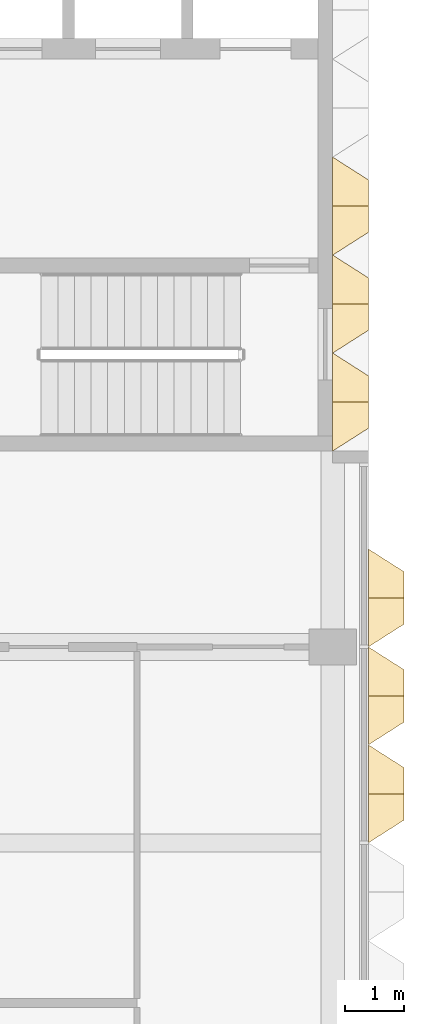
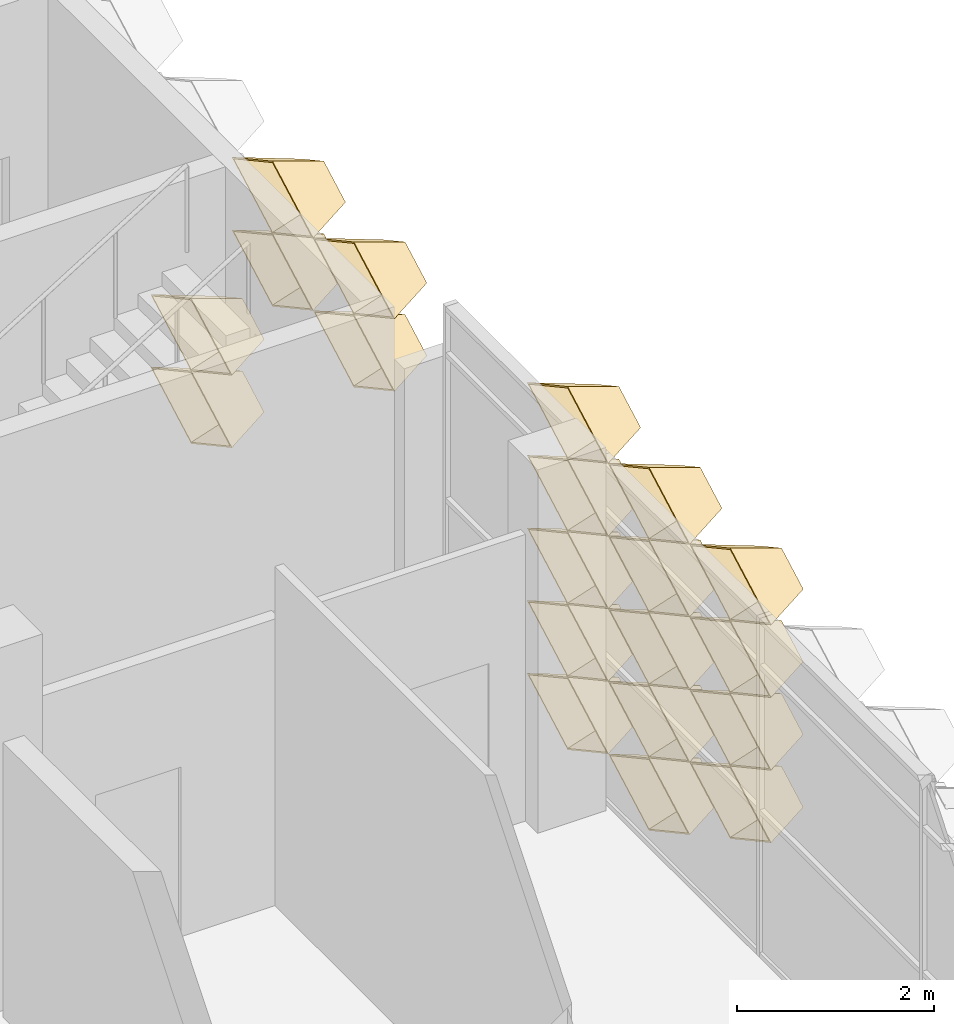
# One storey, part 34 of 39: 20 coverings.
"""IFC4 building model written with IfcOpenShell, lengths in metres."""

from ifc_helpers import new_model, entity, si_unit, direction, frame, origin, place, context, subcontext, project, spatial, material, layer, layer_set, type_object, element, save


model = new_model("IFC4")

# Units and contexts
model_context = context("Model", 3, precision=1e-05, world=origin(), true_north=direction((0.0, 1.0)))
body_context = subcontext(model_context, "Body", "Model", "MODEL_VIEW")
ifc_project = project(units=[si_unit("LENGTHUNIT", "METRE"), si_unit("AREAUNIT", "SQUARE_METRE"), si_unit("VOLUMEUNIT", "CUBIC_METRE"), si_unit("PLANEANGLEUNIT", "RADIAN"), si_unit("MASSUNIT", "GRAM", prefix="KILO")], contexts=[model_context])

# Site, building, storey
site_placement = place(None, origin())
site = spatial("IfcSite", under=ifc_project, at=site_placement, CompositionType="ELEMENT")
building_placement = place(site_placement, origin())
building = spatial("IfcBuilding", under=site, at=building_placement, Name="Lantern Court Research Institute", CompositionType="ELEMENT")
storey_placement = place(building_placement, frame((0.0, 0.0, 27.89990234375)))
storey = spatial("IfcBuildingStorey", under=building, at=storey_placement, Name="L06", CompositionType="ELEMENT", Elevation=27.89990234375)

# Coverings
ifc_material = material(Name="Anodised aluminium", Category="aluminium")
ifc_layer = layer(ifc_material, 0.01611328125)
ifc_layer_set = layer_set([ifc_layer], Name="Anodised aluminium")
covering_type = type_object("IfcCoveringType", Name="Fin cassette 1650 x 900 x 600 aluminium", PredefinedType="CLADDING", material=ifc_layer_set)
covering_1_placement = place(storey_placement, frame((79.199951171875, 17.324951171875, 0.4501953125), z_axis=(1.0, 0.0, 0.0), x_axis=(0.0, 1.0, 0.0)))
cartesian_point_1 = entity("IfcCartesianPoint", [0.824951171875, 0.0])
cartesian_point_2 = entity("IfcCartesianPoint", [0.79150390625, 0.0])
cartesian_point_3 = entity("IfcCartesianPoint", [0.44189453125, 0.0])
cartesian_point_4 = entity("IfcCartesianPoint", [0.43359375, 0.0])
element("IfcCovering", 1, at=covering_1_placement, inside=storey, type_object=covering_type, Name="Fin cassette V5E-L06 1.11", PredefinedType="CLADDING", context=body_context, shape_type="SweptSolid", body=[
    entity("IfcExtrudedAreaSolidTapered", entity("IfcArbitraryProfileDefWithVoids", "AREA", None, entity("IfcPolyline", [cartesian_point_1, entity("IfcCartesianPoint", [0.0, 0.449951171875]), entity("IfcCartesianPoint", [-0.824951171875, 0.0]), entity("IfcCartesianPoint", [0.0, -0.449951171875]), cartesian_point_1]), [entity("IfcPolyline", [cartesian_point_2, entity("IfcCartesianPoint", [0.0, 0.431884765625]), entity("IfcCartesianPoint", [-0.79150390625, 0.0]), entity("IfcCartesianPoint", [0.0, -0.431884765625]), cartesian_point_2])]), entity("IfcAxis2Placement3D", entity("IfcCartesianPoint", [0.0, 0.0, 0.0])), entity("IfcDirection", [0.0, 0.0, 1.0]), 0.60009765625, entity("IfcArbitraryProfileDefWithVoids", "AREA", None, entity("IfcPolyline", [cartesian_point_3, entity("IfcCartesianPoint", [0.0, 0.240966796875]), entity("IfcCartesianPoint", [-0.44189453125, 0.0]), entity("IfcCartesianPoint", [0.0, -0.240966796875]), cartesian_point_3]), [entity("IfcPolyline", [cartesian_point_4, entity("IfcCartesianPoint", [0.0, 0.236572265625]), entity("IfcCartesianPoint", [-0.43359375, 0.0]), entity("IfcCartesianPoint", [0.0, -0.236572265625]), cartesian_point_4])])),
])
covering_2_placement = place(storey_placement, frame((79.199951171875, 17.324951171875, 1.35009765625), z_axis=(1.0, 0.0, 0.0), x_axis=(0.0, 1.0, 0.0)))
cartesian_point_5 = entity("IfcCartesianPoint", [0.824951171875, 0.0])
cartesian_point_6 = entity("IfcCartesianPoint", [0.79150390625, 0.0])
cartesian_point_7 = entity("IfcCartesianPoint", [0.44189453125, 0.0])
cartesian_point_8 = entity("IfcCartesianPoint", [0.43359375, 0.0])
element("IfcCovering", 2, at=covering_2_placement, inside=storey, type_object=covering_type, Name="Fin cassette V5E-L06 2.11", PredefinedType="CLADDING", context=body_context, shape_type="SweptSolid", body=[
    entity("IfcExtrudedAreaSolidTapered", entity("IfcArbitraryProfileDefWithVoids", "AREA", None, entity("IfcPolyline", [cartesian_point_5, entity("IfcCartesianPoint", [0.0, 0.449951171875]), entity("IfcCartesianPoint", [-0.824951171875, 0.0]), entity("IfcCartesianPoint", [0.0, -0.449951171875]), cartesian_point_5]), [entity("IfcPolyline", [cartesian_point_6, entity("IfcCartesianPoint", [0.0, 0.431884765625]), entity("IfcCartesianPoint", [-0.79150390625, 0.0]), entity("IfcCartesianPoint", [0.0, -0.431884765625]), cartesian_point_6])]), entity("IfcAxis2Placement3D", entity("IfcCartesianPoint", [0.0, 0.0, 0.0])), entity("IfcDirection", [0.0, 0.0, 1.0]), 0.60009765625, entity("IfcArbitraryProfileDefWithVoids", "AREA", None, entity("IfcPolyline", [cartesian_point_7, entity("IfcCartesianPoint", [0.0, 0.240966796875]), entity("IfcCartesianPoint", [-0.44189453125, 0.0]), entity("IfcCartesianPoint", [0.0, -0.240966796875]), cartesian_point_7]), [entity("IfcPolyline", [cartesian_point_8, entity("IfcCartesianPoint", [0.0, 0.236572265625]), entity("IfcCartesianPoint", [-0.43359375, 0.0]), entity("IfcCartesianPoint", [0.0, -0.236572265625]), cartesian_point_8])])),
])
covering_3_placement = place(storey_placement, frame((79.199951171875, 14.02490234375, 3.150146484375), z_axis=(1.0, 0.0, 0.0), x_axis=(0.0, 1.0, 0.0)))
cartesian_point_9 = entity("IfcCartesianPoint", [0.824951171875, 0.0])
cartesian_point_10 = entity("IfcCartesianPoint", [0.79150390625, 0.0])
cartesian_point_11 = entity("IfcCartesianPoint", [0.44189453125, 0.0])
cartesian_point_12 = entity("IfcCartesianPoint", [0.43359375, 0.0])
element("IfcCovering", 3, at=covering_3_placement, inside=storey, type_object=covering_type, Name="Fin cassette V5E-L06 4.9", PredefinedType="CLADDING", context=body_context, shape_type="SweptSolid", body=[
    entity("IfcExtrudedAreaSolidTapered", entity("IfcArbitraryProfileDefWithVoids", "AREA", None, entity("IfcPolyline", [cartesian_point_9, entity("IfcCartesianPoint", [0.0, 0.449951171875]), entity("IfcCartesianPoint", [-0.824951171875, 0.0]), entity("IfcCartesianPoint", [0.0, -0.449951171875]), cartesian_point_9]), [entity("IfcPolyline", [cartesian_point_10, entity("IfcCartesianPoint", [0.0, 0.431884765625]), entity("IfcCartesianPoint", [-0.79150390625, 0.0]), entity("IfcCartesianPoint", [0.0, -0.431884765625]), cartesian_point_10])]), entity("IfcAxis2Placement3D", entity("IfcCartesianPoint", [0.0, 0.0, 0.0])), entity("IfcDirection", [0.0, 0.0, 1.0]), 0.60009765625, entity("IfcArbitraryProfileDefWithVoids", "AREA", None, entity("IfcPolyline", [cartesian_point_11, entity("IfcCartesianPoint", [0.0, 0.240966796875]), entity("IfcCartesianPoint", [-0.44189453125, 0.0]), entity("IfcCartesianPoint", [0.0, -0.240966796875]), cartesian_point_11]), [entity("IfcPolyline", [cartesian_point_12, entity("IfcCartesianPoint", [0.0, 0.236572265625]), entity("IfcCartesianPoint", [-0.43359375, 0.0]), entity("IfcCartesianPoint", [0.0, -0.236572265625]), cartesian_point_12])])),
])
covering_4_placement = place(storey_placement, frame((79.199951171875, 15.675048828125, 3.150146484375), z_axis=(1.0, 0.0, 0.0), x_axis=(0.0, 1.0, 0.0)))
cartesian_point_13 = entity("IfcCartesianPoint", [0.824951171875, 0.0])
cartesian_point_14 = entity("IfcCartesianPoint", [0.79150390625, 0.0])
cartesian_point_15 = entity("IfcCartesianPoint", [0.44189453125, 0.0])
cartesian_point_16 = entity("IfcCartesianPoint", [0.43359375, 0.0])
element("IfcCovering", 4, at=covering_4_placement, inside=storey, type_object=covering_type, Name="Fin cassette V5E-L06 4.10", PredefinedType="CLADDING", context=body_context, shape_type="SweptSolid", body=[
    entity("IfcExtrudedAreaSolidTapered", entity("IfcArbitraryProfileDefWithVoids", "AREA", None, entity("IfcPolyline", [cartesian_point_13, entity("IfcCartesianPoint", [0.0, 0.449951171875]), entity("IfcCartesianPoint", [-0.824951171875, 0.0]), entity("IfcCartesianPoint", [0.0, -0.449951171875]), cartesian_point_13]), [entity("IfcPolyline", [cartesian_point_14, entity("IfcCartesianPoint", [0.0, 0.431884765625]), entity("IfcCartesianPoint", [-0.79150390625, 0.0]), entity("IfcCartesianPoint", [0.0, -0.431884765625]), cartesian_point_14])]), entity("IfcAxis2Placement3D", entity("IfcCartesianPoint", [0.0, 0.0, 0.0])), entity("IfcDirection", [0.0, 0.0, 1.0]), 0.60009765625, entity("IfcArbitraryProfileDefWithVoids", "AREA", None, entity("IfcPolyline", [cartesian_point_15, entity("IfcCartesianPoint", [0.0, 0.240966796875]), entity("IfcCartesianPoint", [-0.44189453125, 0.0]), entity("IfcCartesianPoint", [0.0, -0.240966796875]), cartesian_point_15]), [entity("IfcPolyline", [cartesian_point_16, entity("IfcCartesianPoint", [0.0, 0.236572265625]), entity("IfcCartesianPoint", [-0.43359375, 0.0]), entity("IfcCartesianPoint", [0.0, -0.236572265625]), cartesian_point_16])])),
])
covering_5_placement = place(storey_placement, frame((79.199951171875, 14.02490234375, 4.050048828125), z_axis=(1.0, 0.0, 0.0), x_axis=(0.0, 1.0, 0.0)))
cartesian_point_17 = entity("IfcCartesianPoint", [0.824951171875, 0.0])
cartesian_point_18 = entity("IfcCartesianPoint", [0.79150390625, 0.0])
cartesian_point_19 = entity("IfcCartesianPoint", [0.44189453125, 0.0])
cartesian_point_20 = entity("IfcCartesianPoint", [0.43359375, 0.0])
element("IfcCovering", 5, at=covering_5_placement, inside=storey, type_object=covering_type, Name="Fin cassette V5E-L06 5.9", PredefinedType="CLADDING", context=body_context, shape_type="SweptSolid", body=[
    entity("IfcExtrudedAreaSolidTapered", entity("IfcArbitraryProfileDefWithVoids", "AREA", None, entity("IfcPolyline", [cartesian_point_17, entity("IfcCartesianPoint", [0.0, 0.449951171875]), entity("IfcCartesianPoint", [-0.824951171875, 0.0]), entity("IfcCartesianPoint", [0.0, -0.449951171875]), cartesian_point_17]), [entity("IfcPolyline", [cartesian_point_18, entity("IfcCartesianPoint", [0.0, 0.431884765625]), entity("IfcCartesianPoint", [-0.79150390625, 0.0]), entity("IfcCartesianPoint", [0.0, -0.431884765625]), cartesian_point_18])]), entity("IfcAxis2Placement3D", entity("IfcCartesianPoint", [0.0, 0.0, 0.0])), entity("IfcDirection", [0.0, 0.0, 1.0]), 0.60009765625, entity("IfcArbitraryProfileDefWithVoids", "AREA", None, entity("IfcPolyline", [cartesian_point_19, entity("IfcCartesianPoint", [0.0, 0.240966796875]), entity("IfcCartesianPoint", [-0.44189453125, 0.0]), entity("IfcCartesianPoint", [0.0, -0.240966796875]), cartesian_point_19]), [entity("IfcPolyline", [cartesian_point_20, entity("IfcCartesianPoint", [0.0, 0.236572265625]), entity("IfcCartesianPoint", [-0.43359375, 0.0]), entity("IfcCartesianPoint", [0.0, -0.236572265625]), cartesian_point_20])])),
])
covering_6_placement = place(storey_placement, frame((79.199951171875, 15.675048828125, 4.050048828125), z_axis=(1.0, 0.0, 0.0), x_axis=(0.0, 1.0, 0.0)))
cartesian_point_21 = entity("IfcCartesianPoint", [0.824951171875, 0.0])
cartesian_point_22 = entity("IfcCartesianPoint", [0.79150390625, 0.0])
cartesian_point_23 = entity("IfcCartesianPoint", [0.44189453125, 0.0])
cartesian_point_24 = entity("IfcCartesianPoint", [0.43359375, 0.0])
element("IfcCovering", 6, at=covering_6_placement, inside=storey, type_object=covering_type, Name="Fin cassette V5E-L06 5.10", PredefinedType="CLADDING", context=body_context, shape_type="SweptSolid", body=[
    entity("IfcExtrudedAreaSolidTapered", entity("IfcArbitraryProfileDefWithVoids", "AREA", None, entity("IfcPolyline", [cartesian_point_21, entity("IfcCartesianPoint", [0.0, 0.449951171875]), entity("IfcCartesianPoint", [-0.824951171875, 0.0]), entity("IfcCartesianPoint", [0.0, -0.449951171875]), cartesian_point_21]), [entity("IfcPolyline", [cartesian_point_22, entity("IfcCartesianPoint", [0.0, 0.431884765625]), entity("IfcCartesianPoint", [-0.79150390625, 0.0]), entity("IfcCartesianPoint", [0.0, -0.431884765625]), cartesian_point_22])]), entity("IfcAxis2Placement3D", entity("IfcCartesianPoint", [0.0, 0.0, 0.0])), entity("IfcDirection", [0.0, 0.0, 1.0]), 0.60009765625, entity("IfcArbitraryProfileDefWithVoids", "AREA", None, entity("IfcPolyline", [cartesian_point_23, entity("IfcCartesianPoint", [0.0, 0.240966796875]), entity("IfcCartesianPoint", [-0.44189453125, 0.0]), entity("IfcCartesianPoint", [0.0, -0.240966796875]), cartesian_point_23]), [entity("IfcPolyline", [cartesian_point_24, entity("IfcCartesianPoint", [0.0, 0.236572265625]), entity("IfcCartesianPoint", [-0.43359375, 0.0]), entity("IfcCartesianPoint", [0.0, -0.236572265625]), cartesian_point_24])])),
])
covering_7_placement = place(storey_placement, frame((79.800048828125, 9.074951171875, 0.4501953125), z_axis=(1.0, 0.0, 0.0), x_axis=(0.0, 1.0, 0.0)))
cartesian_point_25 = entity("IfcCartesianPoint", [0.824951171875, 0.0])
cartesian_point_26 = entity("IfcCartesianPoint", [0.79150390625, 0.0])
cartesian_point_27 = entity("IfcCartesianPoint", [0.44189453125, 0.0])
cartesian_point_28 = entity("IfcCartesianPoint", [0.43359375, 0.0])
element("IfcCovering", 7, at=covering_7_placement, inside=storey, type_object=covering_type, Name="Fin cassette V5E-L06 1.6", PredefinedType="CLADDING", context=body_context, shape_type="SweptSolid", body=[
    entity("IfcExtrudedAreaSolidTapered", entity("IfcArbitraryProfileDefWithVoids", "AREA", None, entity("IfcPolyline", [cartesian_point_25, entity("IfcCartesianPoint", [0.0, 0.449951171875]), entity("IfcCartesianPoint", [-0.824951171875, 0.0]), entity("IfcCartesianPoint", [0.0, -0.449951171875]), cartesian_point_25]), [entity("IfcPolyline", [cartesian_point_26, entity("IfcCartesianPoint", [0.0, 0.431884765625]), entity("IfcCartesianPoint", [-0.79150390625, 0.0]), entity("IfcCartesianPoint", [0.0, -0.431884765625]), cartesian_point_26])]), entity("IfcAxis2Placement3D", entity("IfcCartesianPoint", [0.0, 0.0, 0.0])), entity("IfcDirection", [0.0, 0.0, 1.0]), 0.60009765625, entity("IfcArbitraryProfileDefWithVoids", "AREA", None, entity("IfcPolyline", [cartesian_point_27, entity("IfcCartesianPoint", [0.0, 0.240966796875]), entity("IfcCartesianPoint", [-0.44189453125, 0.0]), entity("IfcCartesianPoint", [0.0, -0.240966796875]), cartesian_point_27]), [entity("IfcPolyline", [cartesian_point_28, entity("IfcCartesianPoint", [0.0, 0.236572265625]), entity("IfcCartesianPoint", [-0.43359375, 0.0]), entity("IfcCartesianPoint", [0.0, -0.236572265625]), cartesian_point_28])])),
])
covering_8_placement = place(storey_placement, frame((79.800048828125, 10.72509765625, 0.4501953125), z_axis=(1.0, 0.0, 0.0), x_axis=(0.0, 1.0, 0.0)))
cartesian_point_29 = entity("IfcCartesianPoint", [0.824951171875, 0.0])
cartesian_point_30 = entity("IfcCartesianPoint", [0.79150390625, 0.0])
cartesian_point_31 = entity("IfcCartesianPoint", [0.44189453125, 0.0])
cartesian_point_32 = entity("IfcCartesianPoint", [0.43359375, 0.0])
element("IfcCovering", 8, at=covering_8_placement, inside=storey, type_object=covering_type, Name="Fin cassette V5E-L06 1.7", PredefinedType="CLADDING", context=body_context, shape_type="SweptSolid", body=[
    entity("IfcExtrudedAreaSolidTapered", entity("IfcArbitraryProfileDefWithVoids", "AREA", None, entity("IfcPolyline", [cartesian_point_29, entity("IfcCartesianPoint", [0.0, 0.449951171875]), entity("IfcCartesianPoint", [-0.824951171875, 0.0]), entity("IfcCartesianPoint", [0.0, -0.449951171875]), cartesian_point_29]), [entity("IfcPolyline", [cartesian_point_30, entity("IfcCartesianPoint", [0.0, 0.431884765625]), entity("IfcCartesianPoint", [-0.79150390625, 0.0]), entity("IfcCartesianPoint", [0.0, -0.431884765625]), cartesian_point_30])]), entity("IfcAxis2Placement3D", entity("IfcCartesianPoint", [0.0, 0.0, 0.0])), entity("IfcDirection", [0.0, 0.0, 1.0]), 0.60009765625, entity("IfcArbitraryProfileDefWithVoids", "AREA", None, entity("IfcPolyline", [cartesian_point_31, entity("IfcCartesianPoint", [0.0, 0.240966796875]), entity("IfcCartesianPoint", [-0.44189453125, 0.0]), entity("IfcCartesianPoint", [0.0, -0.240966796875]), cartesian_point_31]), [entity("IfcPolyline", [cartesian_point_32, entity("IfcCartesianPoint", [0.0, 0.236572265625]), entity("IfcCartesianPoint", [-0.43359375, 0.0]), entity("IfcCartesianPoint", [0.0, -0.236572265625]), cartesian_point_32])])),
])
covering_9_placement = place(storey_placement, frame((79.800048828125, 7.425048828125, 1.35009765625), z_axis=(1.0, 0.0, 0.0), x_axis=(0.0, 1.0, 0.0)))
cartesian_point_33 = entity("IfcCartesianPoint", [0.824951171875, 0.0])
cartesian_point_34 = entity("IfcCartesianPoint", [0.79150390625, 0.0])
cartesian_point_35 = entity("IfcCartesianPoint", [0.44189453125, 0.0])
cartesian_point_36 = entity("IfcCartesianPoint", [0.43359375, 0.0])
element("IfcCovering", 9, at=covering_9_placement, inside=storey, type_object=covering_type, Name="Fin cassette V5E-L06 2.5", PredefinedType="CLADDING", context=body_context, shape_type="SweptSolid", body=[
    entity("IfcExtrudedAreaSolidTapered", entity("IfcArbitraryProfileDefWithVoids", "AREA", None, entity("IfcPolyline", [cartesian_point_33, entity("IfcCartesianPoint", [0.0, 0.449951171875]), entity("IfcCartesianPoint", [-0.824951171875, 0.0]), entity("IfcCartesianPoint", [0.0, -0.449951171875]), cartesian_point_33]), [entity("IfcPolyline", [cartesian_point_34, entity("IfcCartesianPoint", [0.0, 0.431884765625]), entity("IfcCartesianPoint", [-0.79150390625, 0.0]), entity("IfcCartesianPoint", [0.0, -0.431884765625]), cartesian_point_34])]), entity("IfcAxis2Placement3D", entity("IfcCartesianPoint", [0.0, 0.0, 0.0])), entity("IfcDirection", [0.0, 0.0, 1.0]), 0.60009765625, entity("IfcArbitraryProfileDefWithVoids", "AREA", None, entity("IfcPolyline", [cartesian_point_35, entity("IfcCartesianPoint", [0.0, 0.240966796875]), entity("IfcCartesianPoint", [-0.44189453125, 0.0]), entity("IfcCartesianPoint", [0.0, -0.240966796875]), cartesian_point_35]), [entity("IfcPolyline", [cartesian_point_36, entity("IfcCartesianPoint", [0.0, 0.236572265625]), entity("IfcCartesianPoint", [-0.43359375, 0.0]), entity("IfcCartesianPoint", [0.0, -0.236572265625]), cartesian_point_36])])),
])
covering_10_placement = place(storey_placement, frame((79.800048828125, 9.074951171875, 1.35009765625), z_axis=(1.0, 0.0, 0.0), x_axis=(0.0, 1.0, 0.0)))
cartesian_point_37 = entity("IfcCartesianPoint", [0.824951171875, 0.0])
cartesian_point_38 = entity("IfcCartesianPoint", [0.79150390625, 0.0])
cartesian_point_39 = entity("IfcCartesianPoint", [0.44189453125, 0.0])
cartesian_point_40 = entity("IfcCartesianPoint", [0.43359375, 0.0])
element("IfcCovering", 10, at=covering_10_placement, inside=storey, type_object=covering_type, Name="Fin cassette V5E-L06 2.6", PredefinedType="CLADDING", context=body_context, shape_type="SweptSolid", body=[
    entity("IfcExtrudedAreaSolidTapered", entity("IfcArbitraryProfileDefWithVoids", "AREA", None, entity("IfcPolyline", [cartesian_point_37, entity("IfcCartesianPoint", [0.0, 0.449951171875]), entity("IfcCartesianPoint", [-0.824951171875, 0.0]), entity("IfcCartesianPoint", [0.0, -0.449951171875]), cartesian_point_37]), [entity("IfcPolyline", [cartesian_point_38, entity("IfcCartesianPoint", [0.0, 0.431884765625]), entity("IfcCartesianPoint", [-0.79150390625, 0.0]), entity("IfcCartesianPoint", [0.0, -0.431884765625]), cartesian_point_38])]), entity("IfcAxis2Placement3D", entity("IfcCartesianPoint", [0.0, 0.0, 0.0])), entity("IfcDirection", [0.0, 0.0, 1.0]), 0.60009765625, entity("IfcArbitraryProfileDefWithVoids", "AREA", None, entity("IfcPolyline", [cartesian_point_39, entity("IfcCartesianPoint", [0.0, 0.240966796875]), entity("IfcCartesianPoint", [-0.44189453125, 0.0]), entity("IfcCartesianPoint", [0.0, -0.240966796875]), cartesian_point_39]), [entity("IfcPolyline", [cartesian_point_40, entity("IfcCartesianPoint", [0.0, 0.236572265625]), entity("IfcCartesianPoint", [-0.43359375, 0.0]), entity("IfcCartesianPoint", [0.0, -0.236572265625]), cartesian_point_40])])),
])
covering_11_placement = place(storey_placement, frame((79.800048828125, 10.72509765625, 1.35009765625), z_axis=(1.0, 0.0, 0.0), x_axis=(0.0, 1.0, 0.0)))
cartesian_point_41 = entity("IfcCartesianPoint", [0.824951171875, 0.0])
cartesian_point_42 = entity("IfcCartesianPoint", [0.79150390625, 0.0])
cartesian_point_43 = entity("IfcCartesianPoint", [0.44189453125, 0.0])
cartesian_point_44 = entity("IfcCartesianPoint", [0.43359375, 0.0])
element("IfcCovering", 11, at=covering_11_placement, inside=storey, type_object=covering_type, Name="Fin cassette V5E-L06 2.7", PredefinedType="CLADDING", context=body_context, shape_type="SweptSolid", body=[
    entity("IfcExtrudedAreaSolidTapered", entity("IfcArbitraryProfileDefWithVoids", "AREA", None, entity("IfcPolyline", [cartesian_point_41, entity("IfcCartesianPoint", [0.0, 0.449951171875]), entity("IfcCartesianPoint", [-0.824951171875, 0.0]), entity("IfcCartesianPoint", [0.0, -0.449951171875]), cartesian_point_41]), [entity("IfcPolyline", [cartesian_point_42, entity("IfcCartesianPoint", [0.0, 0.431884765625]), entity("IfcCartesianPoint", [-0.79150390625, 0.0]), entity("IfcCartesianPoint", [0.0, -0.431884765625]), cartesian_point_42])]), entity("IfcAxis2Placement3D", entity("IfcCartesianPoint", [0.0, 0.0, 0.0])), entity("IfcDirection", [0.0, 0.0, 1.0]), 0.60009765625, entity("IfcArbitraryProfileDefWithVoids", "AREA", None, entity("IfcPolyline", [cartesian_point_43, entity("IfcCartesianPoint", [0.0, 0.240966796875]), entity("IfcCartesianPoint", [-0.44189453125, 0.0]), entity("IfcCartesianPoint", [0.0, -0.240966796875]), cartesian_point_43]), [entity("IfcPolyline", [cartesian_point_44, entity("IfcCartesianPoint", [0.0, 0.236572265625]), entity("IfcCartesianPoint", [-0.43359375, 0.0]), entity("IfcCartesianPoint", [0.0, -0.236572265625]), cartesian_point_44])])),
])
covering_12_placement = place(storey_placement, frame((79.800048828125, 7.425048828125, 2.25), z_axis=(1.0, 0.0, 0.0), x_axis=(0.0, 1.0, 0.0)))
cartesian_point_45 = entity("IfcCartesianPoint", [0.824951171875, 0.0])
cartesian_point_46 = entity("IfcCartesianPoint", [0.79150390625, 0.0])
cartesian_point_47 = entity("IfcCartesianPoint", [0.44189453125, 0.0])
cartesian_point_48 = entity("IfcCartesianPoint", [0.43359375, 0.0])
element("IfcCovering", 12, at=covering_12_placement, inside=storey, type_object=covering_type, Name="Fin cassette V5E-L06 3.5", PredefinedType="CLADDING", context=body_context, shape_type="SweptSolid", body=[
    entity("IfcExtrudedAreaSolidTapered", entity("IfcArbitraryProfileDefWithVoids", "AREA", None, entity("IfcPolyline", [cartesian_point_45, entity("IfcCartesianPoint", [0.0, 0.449951171875]), entity("IfcCartesianPoint", [-0.824951171875, 0.0]), entity("IfcCartesianPoint", [0.0, -0.449951171875]), cartesian_point_45]), [entity("IfcPolyline", [cartesian_point_46, entity("IfcCartesianPoint", [0.0, 0.431884765625]), entity("IfcCartesianPoint", [-0.79150390625, 0.0]), entity("IfcCartesianPoint", [0.0, -0.431884765625]), cartesian_point_46])]), entity("IfcAxis2Placement3D", entity("IfcCartesianPoint", [0.0, 0.0, 0.0])), entity("IfcDirection", [0.0, 0.0, 1.0]), 0.60009765625, entity("IfcArbitraryProfileDefWithVoids", "AREA", None, entity("IfcPolyline", [cartesian_point_47, entity("IfcCartesianPoint", [0.0, 0.240966796875]), entity("IfcCartesianPoint", [-0.44189453125, 0.0]), entity("IfcCartesianPoint", [0.0, -0.240966796875]), cartesian_point_47]), [entity("IfcPolyline", [cartesian_point_48, entity("IfcCartesianPoint", [0.0, 0.236572265625]), entity("IfcCartesianPoint", [-0.43359375, 0.0]), entity("IfcCartesianPoint", [0.0, -0.236572265625]), cartesian_point_48])])),
])
covering_13_placement = place(storey_placement, frame((79.800048828125, 9.074951171875, 2.25), z_axis=(1.0, 0.0, 0.0), x_axis=(0.0, 1.0, 0.0)))
cartesian_point_49 = entity("IfcCartesianPoint", [0.824951171875, 0.0])
cartesian_point_50 = entity("IfcCartesianPoint", [0.79150390625, 0.0])
cartesian_point_51 = entity("IfcCartesianPoint", [0.44189453125, 0.0])
cartesian_point_52 = entity("IfcCartesianPoint", [0.43359375, 0.0])
element("IfcCovering", 13, at=covering_13_placement, inside=storey, type_object=covering_type, Name="Fin cassette V5E-L06 3.6", PredefinedType="CLADDING", context=body_context, shape_type="SweptSolid", body=[
    entity("IfcExtrudedAreaSolidTapered", entity("IfcArbitraryProfileDefWithVoids", "AREA", None, entity("IfcPolyline", [cartesian_point_49, entity("IfcCartesianPoint", [0.0, 0.449951171875]), entity("IfcCartesianPoint", [-0.824951171875, 0.0]), entity("IfcCartesianPoint", [0.0, -0.449951171875]), cartesian_point_49]), [entity("IfcPolyline", [cartesian_point_50, entity("IfcCartesianPoint", [0.0, 0.431884765625]), entity("IfcCartesianPoint", [-0.79150390625, 0.0]), entity("IfcCartesianPoint", [0.0, -0.431884765625]), cartesian_point_50])]), entity("IfcAxis2Placement3D", entity("IfcCartesianPoint", [0.0, 0.0, 0.0])), entity("IfcDirection", [0.0, 0.0, 1.0]), 0.60009765625, entity("IfcArbitraryProfileDefWithVoids", "AREA", None, entity("IfcPolyline", [cartesian_point_51, entity("IfcCartesianPoint", [0.0, 0.240966796875]), entity("IfcCartesianPoint", [-0.44189453125, 0.0]), entity("IfcCartesianPoint", [0.0, -0.240966796875]), cartesian_point_51]), [entity("IfcPolyline", [cartesian_point_52, entity("IfcCartesianPoint", [0.0, 0.236572265625]), entity("IfcCartesianPoint", [-0.43359375, 0.0]), entity("IfcCartesianPoint", [0.0, -0.236572265625]), cartesian_point_52])])),
])
covering_14_placement = place(storey_placement, frame((79.800048828125, 10.72509765625, 2.25), z_axis=(1.0, 0.0, 0.0), x_axis=(0.0, 1.0, 0.0)))
cartesian_point_53 = entity("IfcCartesianPoint", [0.824951171875, 0.0])
cartesian_point_54 = entity("IfcCartesianPoint", [0.79150390625, 0.0])
cartesian_point_55 = entity("IfcCartesianPoint", [0.44189453125, 0.0])
cartesian_point_56 = entity("IfcCartesianPoint", [0.43359375, 0.0])
element("IfcCovering", 14, at=covering_14_placement, inside=storey, type_object=covering_type, Name="Fin cassette V5E-L06 3.7", PredefinedType="CLADDING", context=body_context, shape_type="SweptSolid", body=[
    entity("IfcExtrudedAreaSolidTapered", entity("IfcArbitraryProfileDefWithVoids", "AREA", None, entity("IfcPolyline", [cartesian_point_53, entity("IfcCartesianPoint", [0.0, 0.449951171875]), entity("IfcCartesianPoint", [-0.824951171875, 0.0]), entity("IfcCartesianPoint", [0.0, -0.449951171875]), cartesian_point_53]), [entity("IfcPolyline", [cartesian_point_54, entity("IfcCartesianPoint", [0.0, 0.431884765625]), entity("IfcCartesianPoint", [-0.79150390625, 0.0]), entity("IfcCartesianPoint", [0.0, -0.431884765625]), cartesian_point_54])]), entity("IfcAxis2Placement3D", entity("IfcCartesianPoint", [0.0, 0.0, 0.0])), entity("IfcDirection", [0.0, 0.0, 1.0]), 0.60009765625, entity("IfcArbitraryProfileDefWithVoids", "AREA", None, entity("IfcPolyline", [cartesian_point_55, entity("IfcCartesianPoint", [0.0, 0.240966796875]), entity("IfcCartesianPoint", [-0.44189453125, 0.0]), entity("IfcCartesianPoint", [0.0, -0.240966796875]), cartesian_point_55]), [entity("IfcPolyline", [cartesian_point_56, entity("IfcCartesianPoint", [0.0, 0.236572265625]), entity("IfcCartesianPoint", [-0.43359375, 0.0]), entity("IfcCartesianPoint", [0.0, -0.236572265625]), cartesian_point_56])])),
])
covering_15_placement = place(storey_placement, frame((79.800048828125, 7.425048828125, 3.150146484375), z_axis=(1.0, 0.0, 0.0), x_axis=(0.0, 1.0, 0.0)))
cartesian_point_57 = entity("IfcCartesianPoint", [0.824951171875, 0.0])
cartesian_point_58 = entity("IfcCartesianPoint", [0.79150390625, 0.0])
cartesian_point_59 = entity("IfcCartesianPoint", [0.44189453125, 0.0])
cartesian_point_60 = entity("IfcCartesianPoint", [0.43359375, 0.0])
element("IfcCovering", 15, at=covering_15_placement, inside=storey, type_object=covering_type, Name="Fin cassette V5E-L06 4.5", PredefinedType="CLADDING", context=body_context, shape_type="SweptSolid", body=[
    entity("IfcExtrudedAreaSolidTapered", entity("IfcArbitraryProfileDefWithVoids", "AREA", None, entity("IfcPolyline", [cartesian_point_57, entity("IfcCartesianPoint", [0.0, 0.449951171875]), entity("IfcCartesianPoint", [-0.824951171875, 0.0]), entity("IfcCartesianPoint", [0.0, -0.449951171875]), cartesian_point_57]), [entity("IfcPolyline", [cartesian_point_58, entity("IfcCartesianPoint", [0.0, 0.431884765625]), entity("IfcCartesianPoint", [-0.79150390625, 0.0]), entity("IfcCartesianPoint", [0.0, -0.431884765625]), cartesian_point_58])]), entity("IfcAxis2Placement3D", entity("IfcCartesianPoint", [0.0, 0.0, 0.0])), entity("IfcDirection", [0.0, 0.0, 1.0]), 0.60009765625, entity("IfcArbitraryProfileDefWithVoids", "AREA", None, entity("IfcPolyline", [cartesian_point_59, entity("IfcCartesianPoint", [0.0, 0.240966796875]), entity("IfcCartesianPoint", [-0.44189453125, 0.0]), entity("IfcCartesianPoint", [0.0, -0.240966796875]), cartesian_point_59]), [entity("IfcPolyline", [cartesian_point_60, entity("IfcCartesianPoint", [0.0, 0.236572265625]), entity("IfcCartesianPoint", [-0.43359375, 0.0]), entity("IfcCartesianPoint", [0.0, -0.236572265625]), cartesian_point_60])])),
])
covering_16_placement = place(storey_placement, frame((79.800048828125, 9.074951171875, 3.150146484375), z_axis=(1.0, 0.0, 0.0), x_axis=(0.0, 1.0, 0.0)))
cartesian_point_61 = entity("IfcCartesianPoint", [0.824951171875, 0.0])
cartesian_point_62 = entity("IfcCartesianPoint", [0.79150390625, 0.0])
cartesian_point_63 = entity("IfcCartesianPoint", [0.44189453125, 0.0])
cartesian_point_64 = entity("IfcCartesianPoint", [0.43359375, 0.0])
element("IfcCovering", 16, at=covering_16_placement, inside=storey, type_object=covering_type, Name="Fin cassette V5E-L06 4.6", PredefinedType="CLADDING", context=body_context, shape_type="SweptSolid", body=[
    entity("IfcExtrudedAreaSolidTapered", entity("IfcArbitraryProfileDefWithVoids", "AREA", None, entity("IfcPolyline", [cartesian_point_61, entity("IfcCartesianPoint", [0.0, 0.449951171875]), entity("IfcCartesianPoint", [-0.824951171875, 0.0]), entity("IfcCartesianPoint", [0.0, -0.449951171875]), cartesian_point_61]), [entity("IfcPolyline", [cartesian_point_62, entity("IfcCartesianPoint", [0.0, 0.431884765625]), entity("IfcCartesianPoint", [-0.79150390625, 0.0]), entity("IfcCartesianPoint", [0.0, -0.431884765625]), cartesian_point_62])]), entity("IfcAxis2Placement3D", entity("IfcCartesianPoint", [0.0, 0.0, 0.0])), entity("IfcDirection", [0.0, 0.0, 1.0]), 0.60009765625, entity("IfcArbitraryProfileDefWithVoids", "AREA", None, entity("IfcPolyline", [cartesian_point_63, entity("IfcCartesianPoint", [0.0, 0.240966796875]), entity("IfcCartesianPoint", [-0.44189453125, 0.0]), entity("IfcCartesianPoint", [0.0, -0.240966796875]), cartesian_point_63]), [entity("IfcPolyline", [cartesian_point_64, entity("IfcCartesianPoint", [0.0, 0.236572265625]), entity("IfcCartesianPoint", [-0.43359375, 0.0]), entity("IfcCartesianPoint", [0.0, -0.236572265625]), cartesian_point_64])])),
])
covering_17_placement = place(storey_placement, frame((79.800048828125, 10.72509765625, 3.150146484375), z_axis=(1.0, 0.0, 0.0), x_axis=(0.0, 1.0, 0.0)))
cartesian_point_65 = entity("IfcCartesianPoint", [0.824951171875, 0.0])
cartesian_point_66 = entity("IfcCartesianPoint", [0.79150390625, 0.0])
cartesian_point_67 = entity("IfcCartesianPoint", [0.44189453125, 0.0])
cartesian_point_68 = entity("IfcCartesianPoint", [0.43359375, 0.0])
element("IfcCovering", 17, at=covering_17_placement, inside=storey, type_object=covering_type, Name="Fin cassette V5E-L06 4.7", PredefinedType="CLADDING", context=body_context, shape_type="SweptSolid", body=[
    entity("IfcExtrudedAreaSolidTapered", entity("IfcArbitraryProfileDefWithVoids", "AREA", None, entity("IfcPolyline", [cartesian_point_65, entity("IfcCartesianPoint", [0.0, 0.449951171875]), entity("IfcCartesianPoint", [-0.824951171875, 0.0]), entity("IfcCartesianPoint", [0.0, -0.449951171875]), cartesian_point_65]), [entity("IfcPolyline", [cartesian_point_66, entity("IfcCartesianPoint", [0.0, 0.431884765625]), entity("IfcCartesianPoint", [-0.79150390625, 0.0]), entity("IfcCartesianPoint", [0.0, -0.431884765625]), cartesian_point_66])]), entity("IfcAxis2Placement3D", entity("IfcCartesianPoint", [0.0, 0.0, 0.0])), entity("IfcDirection", [0.0, 0.0, 1.0]), 0.60009765625, entity("IfcArbitraryProfileDefWithVoids", "AREA", None, entity("IfcPolyline", [cartesian_point_67, entity("IfcCartesianPoint", [0.0, 0.240966796875]), entity("IfcCartesianPoint", [-0.44189453125, 0.0]), entity("IfcCartesianPoint", [0.0, -0.240966796875]), cartesian_point_67]), [entity("IfcPolyline", [cartesian_point_68, entity("IfcCartesianPoint", [0.0, 0.236572265625]), entity("IfcCartesianPoint", [-0.43359375, 0.0]), entity("IfcCartesianPoint", [0.0, -0.236572265625]), cartesian_point_68])])),
])
covering_18_placement = place(storey_placement, frame((79.800048828125, 7.425048828125, 4.050048828125), z_axis=(1.0, 0.0, 0.0), x_axis=(0.0, 1.0, 0.0)))
cartesian_point_69 = entity("IfcCartesianPoint", [0.824951171875, 0.0])
cartesian_point_70 = entity("IfcCartesianPoint", [0.79150390625, 0.0])
cartesian_point_71 = entity("IfcCartesianPoint", [0.44189453125, 0.0])
cartesian_point_72 = entity("IfcCartesianPoint", [0.43359375, 0.0])
element("IfcCovering", 18, at=covering_18_placement, inside=storey, type_object=covering_type, Name="Fin cassette V5E-L06 5.5", PredefinedType="CLADDING", context=body_context, shape_type="SweptSolid", body=[
    entity("IfcExtrudedAreaSolidTapered", entity("IfcArbitraryProfileDefWithVoids", "AREA", None, entity("IfcPolyline", [cartesian_point_69, entity("IfcCartesianPoint", [0.0, 0.449951171875]), entity("IfcCartesianPoint", [-0.824951171875, 0.0]), entity("IfcCartesianPoint", [0.0, -0.449951171875]), cartesian_point_69]), [entity("IfcPolyline", [cartesian_point_70, entity("IfcCartesianPoint", [0.0, 0.431884765625]), entity("IfcCartesianPoint", [-0.79150390625, 0.0]), entity("IfcCartesianPoint", [0.0, -0.431884765625]), cartesian_point_70])]), entity("IfcAxis2Placement3D", entity("IfcCartesianPoint", [0.0, 0.0, 0.0])), entity("IfcDirection", [0.0, 0.0, 1.0]), 0.60009765625, entity("IfcArbitraryProfileDefWithVoids", "AREA", None, entity("IfcPolyline", [cartesian_point_71, entity("IfcCartesianPoint", [0.0, 0.240966796875]), entity("IfcCartesianPoint", [-0.44189453125, 0.0]), entity("IfcCartesianPoint", [0.0, -0.240966796875]), cartesian_point_71]), [entity("IfcPolyline", [cartesian_point_72, entity("IfcCartesianPoint", [0.0, 0.236572265625]), entity("IfcCartesianPoint", [-0.43359375, 0.0]), entity("IfcCartesianPoint", [0.0, -0.236572265625]), cartesian_point_72])])),
])
covering_19_placement = place(storey_placement, frame((79.800048828125, 9.074951171875, 4.050048828125), z_axis=(1.0, 0.0, 0.0), x_axis=(0.0, 1.0, 0.0)))
cartesian_point_73 = entity("IfcCartesianPoint", [0.824951171875, 0.0])
cartesian_point_74 = entity("IfcCartesianPoint", [0.79150390625, 0.0])
cartesian_point_75 = entity("IfcCartesianPoint", [0.44189453125, 0.0])
cartesian_point_76 = entity("IfcCartesianPoint", [0.43359375, 0.0])
element("IfcCovering", 19, at=covering_19_placement, inside=storey, type_object=covering_type, Name="Fin cassette V5E-L06 5.6", PredefinedType="CLADDING", context=body_context, shape_type="SweptSolid", body=[
    entity("IfcExtrudedAreaSolidTapered", entity("IfcArbitraryProfileDefWithVoids", "AREA", None, entity("IfcPolyline", [cartesian_point_73, entity("IfcCartesianPoint", [0.0, 0.449951171875]), entity("IfcCartesianPoint", [-0.824951171875, 0.0]), entity("IfcCartesianPoint", [0.0, -0.449951171875]), cartesian_point_73]), [entity("IfcPolyline", [cartesian_point_74, entity("IfcCartesianPoint", [0.0, 0.431884765625]), entity("IfcCartesianPoint", [-0.79150390625, 0.0]), entity("IfcCartesianPoint", [0.0, -0.431884765625]), cartesian_point_74])]), entity("IfcAxis2Placement3D", entity("IfcCartesianPoint", [0.0, 0.0, 0.0])), entity("IfcDirection", [0.0, 0.0, 1.0]), 0.60009765625, entity("IfcArbitraryProfileDefWithVoids", "AREA", None, entity("IfcPolyline", [cartesian_point_75, entity("IfcCartesianPoint", [0.0, 0.240966796875]), entity("IfcCartesianPoint", [-0.44189453125, 0.0]), entity("IfcCartesianPoint", [0.0, -0.240966796875]), cartesian_point_75]), [entity("IfcPolyline", [cartesian_point_76, entity("IfcCartesianPoint", [0.0, 0.236572265625]), entity("IfcCartesianPoint", [-0.43359375, 0.0]), entity("IfcCartesianPoint", [0.0, -0.236572265625]), cartesian_point_76])])),
])
covering_20_placement = place(storey_placement, frame((79.800048828125, 10.72509765625, 4.050048828125), z_axis=(1.0, 0.0, 0.0), x_axis=(0.0, 1.0, 0.0)))
cartesian_point_77 = entity("IfcCartesianPoint", [0.824951171875, 0.0])
cartesian_point_78 = entity("IfcCartesianPoint", [0.79150390625, 0.0])
cartesian_point_79 = entity("IfcCartesianPoint", [0.44189453125, 0.0])
cartesian_point_80 = entity("IfcCartesianPoint", [0.43359375, 0.0])
element("IfcCovering", 20, at=covering_20_placement, inside=storey, type_object=covering_type, Name="Fin cassette V5E-L06 5.7", PredefinedType="CLADDING", context=body_context, shape_type="SweptSolid", body=[
    entity("IfcExtrudedAreaSolidTapered", entity("IfcArbitraryProfileDefWithVoids", "AREA", None, entity("IfcPolyline", [cartesian_point_77, entity("IfcCartesianPoint", [0.0, 0.449951171875]), entity("IfcCartesianPoint", [-0.824951171875, 0.0]), entity("IfcCartesianPoint", [0.0, -0.449951171875]), cartesian_point_77]), [entity("IfcPolyline", [cartesian_point_78, entity("IfcCartesianPoint", [0.0, 0.431884765625]), entity("IfcCartesianPoint", [-0.79150390625, 0.0]), entity("IfcCartesianPoint", [0.0, -0.431884765625]), cartesian_point_78])]), entity("IfcAxis2Placement3D", entity("IfcCartesianPoint", [0.0, 0.0, 0.0])), entity("IfcDirection", [0.0, 0.0, 1.0]), 0.60009765625, entity("IfcArbitraryProfileDefWithVoids", "AREA", None, entity("IfcPolyline", [cartesian_point_79, entity("IfcCartesianPoint", [0.0, 0.240966796875]), entity("IfcCartesianPoint", [-0.44189453125, 0.0]), entity("IfcCartesianPoint", [0.0, -0.240966796875]), cartesian_point_79]), [entity("IfcPolyline", [cartesian_point_80, entity("IfcCartesianPoint", [0.0, 0.236572265625]), entity("IfcCartesianPoint", [-0.43359375, 0.0]), entity("IfcCartesianPoint", [0.0, -0.236572265625]), cartesian_point_80])])),
])

save(model, "model.ifc")
